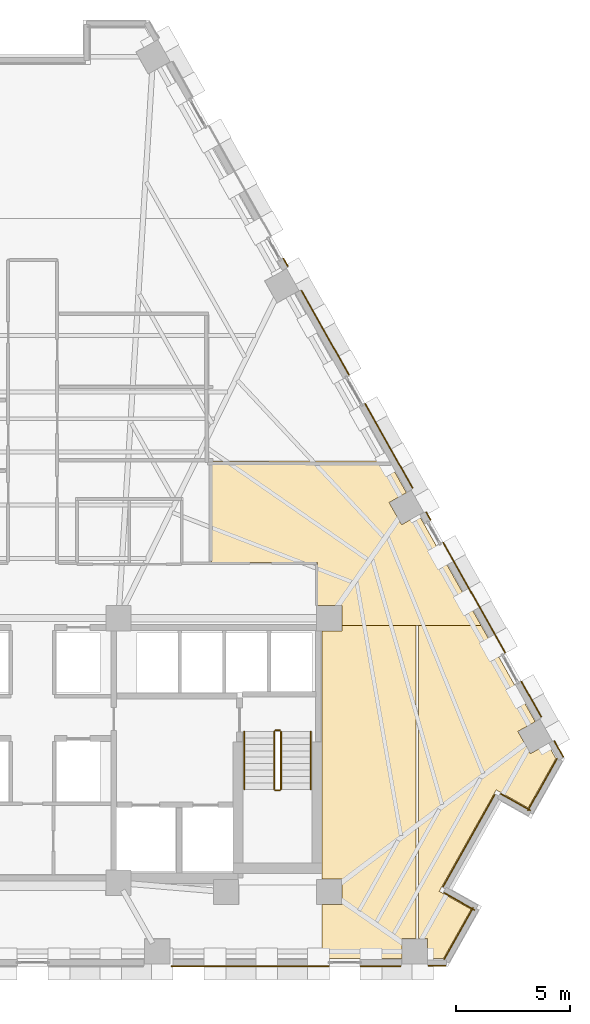
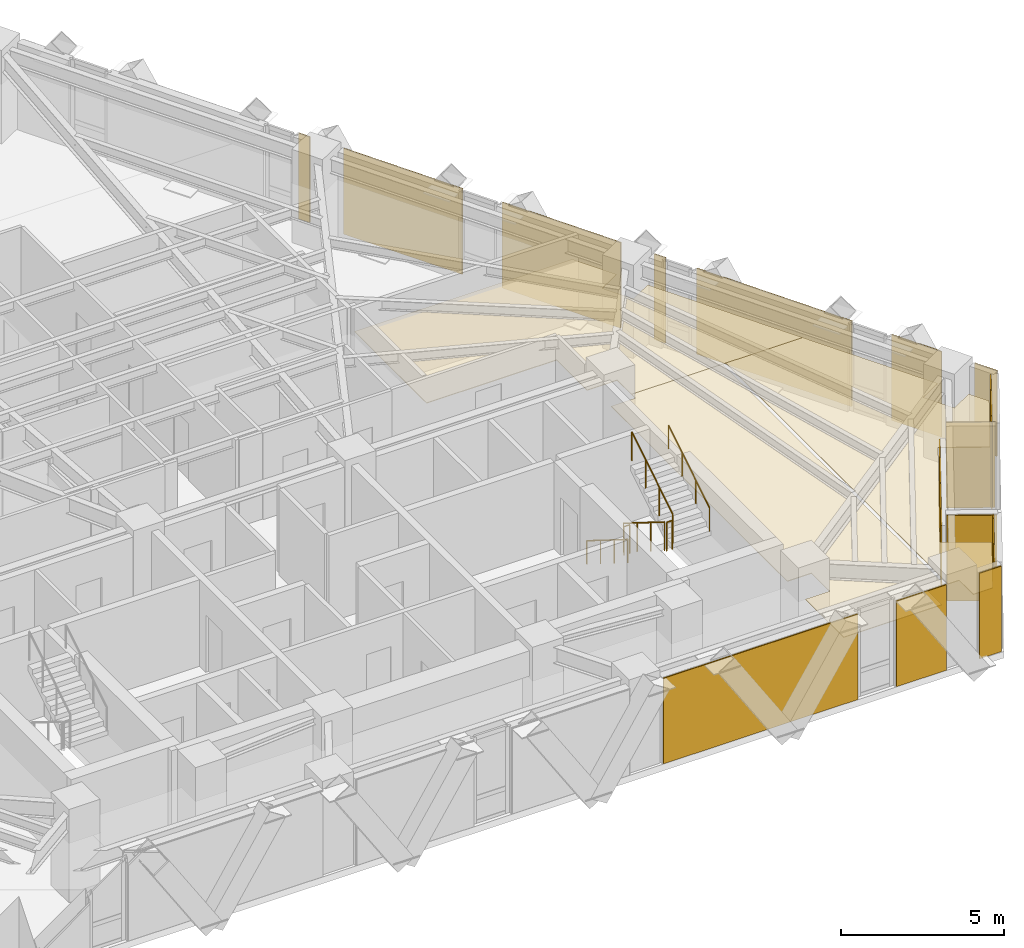
# One storey, part 12 of 13: 18 coverings, 6 railings.
"""IFC4 building model written with IfcOpenShell, lengths in metres."""

from ifc_helpers import new_model, si_unit, direction, frame, origin, origin_2d, place, context, subcontext, project, spatial, polyline, circle, outline, extrude, material, layer, layer_set, type_object, element, save


model = new_model("IFC4")

# Units and contexts
model_context = context("Model", 3, precision=1e-05, world=origin(), true_north=direction((0.0, 1.0)))
body_context = subcontext(model_context, "Body", "Model", "MODEL_VIEW")
ifc_project = project(units=[si_unit("LENGTHUNIT", "METRE"), si_unit("AREAUNIT", "SQUARE_METRE"), si_unit("VOLUMEUNIT", "CUBIC_METRE"), si_unit("PLANEANGLEUNIT", "RADIAN"), si_unit("MASSUNIT", "GRAM", prefix="KILO")], contexts=[model_context])

# Site, building, storey
site_placement = place(None, origin())
site = spatial("IfcSite", under=ifc_project, at=site_placement, CompositionType="ELEMENT")
building_placement = place(site_placement, origin())
building = spatial("IfcBuilding", under=site, at=building_placement, Name="Quenlor Broadcast Tower", CompositionType="ELEMENT")
storey_placement = place(building_placement, frame((0.0, 0.0, 109.0)))
storey = spatial("IfcBuildingStorey", under=building, at=storey_placement, Name="L29", CompositionType="ELEMENT", Elevation=109.0)

# Coverings
ifc_material_1 = material(Name="Acoustic Mineral Fibre Board", Category="other")
ifc_layer_1 = layer(ifc_material_1, 0.02490234375)
ifc_layer_set_1 = layer_set([ifc_layer_1], Name="Acoustic Perforated Mineral Tile Ceiling 25")
covering_type_1 = type_object("IfcCoveringType", Name="Acoustic Perforated Mineral Tile Ceiling 25", PredefinedType="CEILING", material=ifc_layer_set_1)
covering_1_placement = place(storey_placement, frame((0.0, 0.0, 2.22509765625)))
element("IfcCovering", 1, at=covering_1_placement, inside=storey, type_object=covering_type_1, Name="L29 Acoustic Ceiling L29-36-2", PredefinedType="CEILING", context=body_context, shape_type="SweptSolid", body=[
    extrude(outline(polyline([(13.508056640625, -4.241943359375), (12.43994140625, -4.241943359375), (12.43994140625, -2.3701171875), (7.820068359375, -2.3701171875), (7.820068359375, 2.06005859375), (15.55126953125, 2.06005859375), (16.32666015625, 0.68115234375), (15.5703125, 0.255615234375), (16.1171875, -0.717041015625), (16.873779296875, -0.29150390625), (19.58984375, -5.1201171875), (16.860107421875, -5.1201171875), (16.739990234375, -5.1201171875), (13.508056640625, -5.1201171875), (13.508056640625, -4.241943359375)])), origin(), (0.0, 0.0, 1.0), 0.02490234375),
])
covering_2_placement = place(storey_placement, frame((0.0, 0.0, 2.22509765625)))
element("IfcCovering", 2, at=covering_2_placement, inside=storey, type_object=covering_type_1, Name="L29 Acoustic Ceiling L29-36-6", PredefinedType="CEILING", context=body_context, shape_type="SweptSolid", body=[
    extrude(outline(polyline([(13.508056640625, -17.30810546875), (13.508056640625, -16.19189453125), (12.64990234375, -16.19189453125), (12.64990234375, -5.35791015625), (13.508056640625, -5.35791015625), (13.508056640625, -5.1201171875), (16.739990234375, -5.1201171875), (16.739990234375, -18.7919921875), (16.134521484375, -18.7919921875), (16.134521484375, -19.659912109375), (12.64990234375, -19.659912109375), (12.64990234375, -17.30810546875), (13.508056640625, -17.30810546875)])), origin(), (0.0, 0.0, 1.0), 0.02490234375),
])
covering_3_placement = place(storey_placement, frame((0.0, 0.0, 2.22509765625)))
element("IfcCovering", 3, at=covering_3_placement, inside=storey, type_object=covering_type_1, Name="L29 Acoustic Ceiling L29-36-7", PredefinedType="CEILING", context=body_context, shape_type="SweptSolid", body=[
    extrude(outline(polyline([(21.951416015625, -9.318115234375), (21.19482421875, -9.74365234375), (21.741943359375, -10.71630859375), (22.49853515625, -10.290771484375), (22.85693359375, -10.927978515625), (21.64453125, -13.08349609375), (20.25, -12.299072265625), (17.759521484375, -16.7265625), (19.15380859375, -17.510986328125), (17.9453125, -19.659912109375), (17.25048828125, -19.659912109375), (17.25048828125, -18.7919921875), (16.860107421875, -18.7919921875), (16.860107421875, -5.1201171875), (19.58984375, -5.1201171875), (21.951416015625, -9.318115234375)])), origin(), (0.0, 0.0, 1.0), 0.02490234375),
])
ifc_material_2 = material(Name="Architectural Terracotta Ceramic", Category="masonry")
ifc_layer_2 = layer(ifc_material_2, 0.044921875)
ifc_layer_set_2 = layer_set([ifc_layer_2], Name="Fluted Terracotta Rainscreen Cladding Panel")
covering_type_2 = type_object("IfcCoveringType", Name="Fluted Terracotta Rainscreen Cladding Panel", PredefinedType="CLADDING", material=ifc_layer_set_2)
covering_4_placement = place(storey_placement, frame((0.0, 0.0, 0.02001953125)))
element("IfcCovering", 4, at=covering_4_placement, inside=storey, type_object=covering_type_2, Name="L29 Terracotta Rainscreen Cladding L29-SHD-SS0", PredefinedType="CLADDING", context=body_context, shape_type="SweptSolid", body=[
    extrude(outline(polyline([(18.053955078125, -19.951904296875), (17.277587890625, -19.951904296875), (17.277587890625, -19.9970703125), (18.053955078125, -19.9970703125), (18.053955078125, -19.951904296875)])), origin(), (0.0, 0.0, 1.0), 3.2099609375),
])
covering_5_placement = place(storey_placement, frame((0.0, 0.0, 0.02001953125)))
element("IfcCovering", 5, at=covering_5_placement, inside=storey, type_object=covering_type_2, Name="L29 Terracotta Rainscreen Cladding L29-SA-SP1", PredefinedType="CLADDING", context=body_context, shape_type="SweptSolid", body=[
    extrude(outline(polyline([(16.08740234375, -19.971923828125), (14.32177734375, -19.971923828125), (14.32177734375, -20.01708984375), (16.08740234375, -20.01708984375), (16.08740234375, -19.971923828125)])), origin(), (0.0, 0.0, 1.0), 3.2099609375),
])
covering_6_placement = place(storey_placement, frame((0.0, 0.0, 0.02001953125)))
element("IfcCovering", 6, at=covering_6_placement, inside=storey, type_object=covering_type_2, Name="L29 Terracotta Rainscreen Cladding L29-SA-SP2", PredefinedType="CLADDING", context=body_context, shape_type="SweptSolid", body=[
    extrude(outline(polyline([(12.94873046875, -19.971923828125), (6.048095703125, -19.971923828125), (6.048095703125, -20.01708984375), (12.94873046875, -20.01708984375), (12.94873046875, -19.971923828125)])), origin(), (0.0, 0.0, 1.0), 3.2099609375),
])
covering_7_placement = place(storey_placement, frame((0.0, 0.0, 0.02001953125)))
element("IfcCovering", 7, at=covering_7_placement, inside=storey, type_object=covering_type_2, Name="L29 Terracotta Rainscreen Cladding L29-SHD-NES1", PredefinedType="CLADDING", context=body_context, shape_type="SweptSolid", body=[
    extrude(outline(polyline([(22.76611328125, -10.171142578125), (23.160888671875, -10.873046875), (23.2001953125, -10.85107421875), (22.805419921875, -10.149169921875), (22.76611328125, -10.171142578125)])), origin(), (0.0, 0.0, 1.0), 3.2099609375),
])
covering_8_placement = place(storey_placement, frame((0.0, 0.0, 0.02001953125)))
element("IfcCovering", 8, at=covering_8_placement, inside=storey, type_object=covering_type_2, Name="L29 Terracotta Rainscreen Cladding L29-NEA-SP3", PredefinedType="CLADDING", context=body_context, shape_type="SweptSolid", body=[
    extrude(outline(polyline([(10.936279296875, 10.900634765625), (11.13232421875, 10.552001953125), (11.171630859375, 10.57421875), (10.9755859375, 10.922607421875), (10.936279296875, 10.900634765625)])), origin(), (0.0, 0.0, 1.0), 3.2099609375),
])
covering_9_placement = place(storey_placement, frame((0.0, 0.0, 0.02001953125)))
element("IfcCovering", 9, at=covering_9_placement, inside=storey, type_object=covering_type_2, Name="L29 Terracotta Rainscreen Cladding L29-NEC-SP1", PredefinedType="CLADDING", context=body_context, shape_type="SweptSolid", body=[
    extrude(outline(polyline([(17.168701171875, -0.179443359375), (17.36474609375, -0.528076171875), (17.404052734375, -0.506103515625), (17.2080078125, -0.157470703125), (17.168701171875, -0.179443359375)])), origin(), (0.0, 0.0, 1.0), 3.2099609375),
])
covering_10_placement = place(storey_placement, frame((0.0, 0.0, 0.02001953125)))
element("IfcCovering", 10, at=covering_10_placement, inside=storey, type_object=covering_type_2, Name="L29 Terracotta Rainscreen Cladding L29-NEC-SP2", PredefinedType="CLADDING", context=body_context, shape_type="SweptSolid", body=[
    extrude(outline(polyline([(17.912841796875, -1.502197265625), (20.62744140625, -6.328369140625), (20.666748046875, -6.306396484375), (17.951904296875, -1.47998046875), (17.912841796875, -1.502197265625)])), origin(), (0.0, 0.0, 1.0), 3.2099609375),
])
covering_11_placement = place(storey_placement, frame((0.0, 0.0, 0.02001953125)))
element("IfcCovering", 11, at=covering_11_placement, inside=storey, type_object=covering_type_2, Name="L29 Terracotta Rainscreen Cladding L29-NEC-SP3", PredefinedType="CLADDING", context=body_context, shape_type="SweptSolid", body=[
    extrude(outline(polyline([(21.325927734375, -7.56982421875), (22.2001953125, -9.1240234375), (22.239501953125, -9.10205078125), (21.364990234375, -7.5478515625), (21.325927734375, -7.56982421875)])), origin(), (0.0, 0.0, 1.0), 3.2099609375),
])
covering_12_placement = place(storey_placement, frame((0.0, 0.0, 0.02001953125)))
element("IfcCovering", 12, at=covering_12_placement, inside=storey, type_object=covering_type_2, Name="L29 Terracotta Rainscreen Cladding L29-NE-SP1", PredefinedType="CLADDING", context=body_context, shape_type="SweptSolid", body=[
    extrude(outline(polyline([(11.72314453125, 9.501708984375), (13.801513671875, 5.806884765625), (13.8408203125, 5.8291015625), (11.76220703125, 9.523681640625), (11.72314453125, 9.501708984375)])), origin(), (0.0, 0.0, 1.0), 3.2099609375),
])
covering_13_placement = place(storey_placement, frame((0.0, 0.0, 0.02001953125)))
element("IfcCovering", 13, at=covering_13_placement, inside=storey, type_object=covering_type_2, Name="L29 Terracotta Rainscreen Cladding L29-NE-SP2", PredefinedType="CLADDING", context=body_context, shape_type="SweptSolid", body=[
    extrude(outline(polyline([(14.499755859375, 4.565673828125), (16.577880859375, 0.870849609375), (16.6171875, 0.892822265625), (14.538818359375, 4.587646484375), (14.499755859375, 4.565673828125)])), origin(), (0.0, 0.0, 1.0), 3.2099609375),
])
covering_14_placement = place(storey_placement, frame((0.0, 0.0, 0.02001953125)))
element("IfcCovering", 14, at=covering_14_placement, inside=storey, type_object=covering_type_2, Name="L29 Terracotta Rainscreen Cladding L29-CNR-01", PredefinedType="CLADDING", context=body_context, shape_type="SweptSolid", body=[
    extrude(outline(polyline([(19.31787109375, -17.525390625), (17.9755859375, -16.770263671875), (17.95361328125, -16.8095703125), (19.2958984375, -17.564697265625), (19.31787109375, -17.525390625)])), origin(), (0.0, 0.0, 1.0), 3.2099609375),
])
covering_15_placement = place(storey_placement, frame((0.0, 0.0, 0.02001953125)))
element("IfcCovering", 15, at=covering_15_placement, inside=storey, type_object=covering_type_2, Name="L29 Terracotta Rainscreen Cladding L29-CNR-02", PredefinedType="CLADDING", context=body_context, shape_type="SweptSolid", body=[
    extrude(outline(polyline([(17.941162109375, -16.5419921875), (20.206298828125, -12.515380859375), (20.1669921875, -12.493408203125), (17.902099609375, -16.52001953125), (17.941162109375, -16.5419921875)])), origin(), (0.0, 0.0, 1.0), 2.681884765625),
])
covering_16_placement = place(storey_placement, frame((0.0, 0.0, 0.02001953125)))
element("IfcCovering", 16, at=covering_16_placement, inside=storey, type_object=covering_type_2, Name="L29 Terracotta Rainscreen Cladding L29-CNR-03", PredefinedType="CLADDING", context=body_context, shape_type="SweptSolid", body=[
    extrude(outline(polyline([(20.4345703125, -12.48095703125), (21.741943359375, -13.21630859375), (21.763916015625, -13.177001953125), (20.45654296875, -12.441650390625), (20.4345703125, -12.48095703125)])), origin(), (0.0, 0.0, 1.0), 3.2099609375),
])
covering_17_placement = place(storey_placement, frame((0.0, 0.0, 0.02001953125)))
element("IfcCovering", 17, at=covering_17_placement, inside=storey, type_object=covering_type_2, Name="L29 Terracotta Rainscreen Cladding L29-CNR-04", PredefinedType="CLADDING", context=body_context, shape_type="SweptSolid", body=[
    extrude(outline(polyline([(21.64990234375, -13.212646484375), (22.926513671875, -10.94287109375), (22.887451171875, -10.9208984375), (21.610595703125, -13.190673828125), (21.64990234375, -13.212646484375)])), origin(), (0.0, 0.0, 1.0), 3.2099609375),
])
covering_18_placement = place(storey_placement, frame((0.0, 0.0, 0.02001953125)))
element("IfcCovering", 18, at=covering_18_placement, inside=storey, type_object=covering_type_2, Name="L29 Terracotta Rainscreen Cladding L29-CNR-18", PredefinedType="CLADDING", context=body_context, shape_type="SweptSolid", body=[
    extrude(outline(polyline([(17.991943359375, -19.71533203125), (19.26708984375, -17.448486328125), (19.227783203125, -17.426513671875), (17.952880859375, -19.693359375), (17.991943359375, -19.71533203125)])), origin(), (0.0, 0.0, 1.0), 3.2099609375),
])

# Railings
ifc_material_3 = material(Name="Anodised Aluminium", Category="aluminium")
railing_type_1 = type_object("IfcRailingType", Name="Stainless Aluminium Wall Handrail 900", PredefinedType="HANDRAIL", material=ifc_material_3)
railing_1_placement = place(storey_placement, frame((9.25, -9.75, 0.175048828125)))
element("IfcRailing", 19, at=railing_1_placement, inside=storey, type_object=railing_type_1, Name="L29 ST-2 stair handrail 1", PredefinedType="HANDRAIL", context=body_context, shape_type="SweptSolid", body=[
    extrude(circle(Radius=0.02392578125, at=origin_2d()), frame((0.0, 0.0, 0.8759765625), z_axis=(0.0, -0.848007534815, 0.529984170421), x_axis=(1.0, 0.0, 0.0)), (0.0, 0.0, 1.0), 2.9716796875),
    extrude(circle(Radius=0.02099609375, at=origin_2d()), origin(), (0.0, 0.0, 1.0), 0.851806640625),
    extrude(circle(Radius=0.02099609375, at=origin_2d()), frame((0.0, -0.840087890625, 0.52490234375)), (0.0, 0.0, 1.0), 0.851806640625),
    extrude(circle(Radius=0.02099609375, at=origin_2d()), frame((0.0, -1.679931640625, 1.050048828125)), (0.0, 0.0, 1.0), 0.851806640625),
    extrude(circle(Radius=0.02099609375, at=origin_2d()), frame((0.0, -2.52001953125, 1.574951171875)), (0.0, 0.0, 1.0), 0.851806640625),
])
railing_2_placement = place(storey_placement, frame((12.14990234375, -12.27001953125, 1.925048828125)))
element("IfcRailing", 20, at=railing_2_placement, inside=storey, type_object=railing_type_1, Name="L29 ST-2 stair handrail 2", PredefinedType="HANDRAIL", context=body_context, shape_type="SweptSolid", body=[
    extrude(circle(Radius=0.02392578125, at=origin_2d()), frame((0.0, 0.0, 0.8759765625), z_axis=(0.0, 0.848007534815, 0.529984170421), x_axis=(-1.0, 0.0, 0.0)), (0.0, 0.0, 1.0), 2.9716796875),
    extrude(circle(Radius=0.02099609375, at=origin_2d()), origin(), (0.0, 0.0, 1.0), 0.851806640625),
    extrude(circle(Radius=0.02099609375, at=origin_2d()), frame((0.0, 0.840087890625, 0.52490234375)), (0.0, 0.0, 1.0), 0.851806640625),
    extrude(circle(Radius=0.02099609375, at=origin_2d()), frame((0.0, 1.679931640625, 1.050048828125)), (0.0, 0.0, 1.0), 0.851806640625),
    extrude(circle(Radius=0.02099609375, at=origin_2d()), frame((0.0, 2.52001953125, 1.574951171875)), (0.0, 0.0, 1.0), 0.851806640625),
])
ifc_material_4 = material(Name="Steel S355", Category="steel")
railing_type_2 = type_object("IfcRailingType", Name="Tubular Steel S355 Stair Guardrail 1100", PredefinedType="BALUSTRADE", material=ifc_material_4)
railing_3_placement = place(storey_placement, frame((10.550048828125, -9.75, 0.175048828125)))
element("IfcRailing", 21, at=railing_3_placement, inside=storey, type_object=railing_type_2, Name="L29 ST-2 stair guard 1", PredefinedType="BALUSTRADE", context=body_context, shape_type="SweptSolid", body=[
    extrude(circle(Radius=0.02392578125, at=origin_2d()), frame((0.0, 0.0, 1.076171875), z_axis=(0.0, -0.848007534815, 0.529984170421), x_axis=(1.0, 0.0, 0.0)), (0.0, 0.0, 1.0), 2.9716796875),
    extrude(circle(Radius=0.02099609375, at=origin_2d()), origin(), (0.0, 0.0, 1.0), 1.052001953125),
    extrude(circle(Radius=0.02099609375, at=origin_2d()), frame((0.0, -0.840087890625, 0.52490234375)), (0.0, 0.0, 1.0), 1.052001953125),
    extrude(circle(Radius=0.02099609375, at=origin_2d()), frame((0.0, -1.679931640625, 1.050048828125)), (0.0, 0.0, 1.0), 1.052001953125),
    extrude(circle(Radius=0.02099609375, at=origin_2d()), frame((0.0, -2.52001953125, 1.574951171875)), (0.0, 0.0, 1.0), 1.052001953125),
])
railing_4_placement = place(storey_placement, frame((10.60009765625, -12.320068359375, 1.75)))
element("IfcRailing", 22, at=railing_4_placement, inside=storey, type_object=railing_type_2, Name="L29 ST-2 stair guard 2", PredefinedType="BALUSTRADE", context=body_context, shape_type="SweptSolid", body=[
    extrude(circle(Radius=0.02392578125, at=origin_2d()), frame((0.0, 0.0, 1.076171875), z_axis=(1.0, 0.0, 0.0), x_axis=(0.0, 1.0, 0.0)), (0.0, 0.0, 1.0), 0.199951171875),
    extrude(circle(Radius=0.02099609375, at=origin_2d()), origin(), (0.0, 0.0, 1.0), 1.052001953125),
    extrude(circle(Radius=0.02099609375, at=origin_2d()), frame((0.199951171875, 0.0, 0.0)), (0.0, 0.0, 1.0), 1.052001953125),
])
railing_5_placement = place(storey_placement, frame((10.85009765625, -12.27001953125, 1.925048828125)))
element("IfcRailing", 23, at=railing_5_placement, inside=storey, type_object=railing_type_2, Name="L29 ST-2 stair guard 3", PredefinedType="BALUSTRADE", context=body_context, shape_type="SweptSolid", body=[
    extrude(circle(Radius=0.02392578125, at=origin_2d()), frame((0.0, 0.0, 1.076171875), z_axis=(0.0, 0.848007534815, 0.529984170421), x_axis=(-1.0, 0.0, 0.0)), (0.0, 0.0, 1.0), 2.9716796875),
    extrude(circle(Radius=0.02099609375, at=origin_2d()), origin(), (0.0, 0.0, 1.0), 1.052001953125),
    extrude(circle(Radius=0.02099609375, at=origin_2d()), frame((0.0, 0.840087890625, 0.52490234375)), (0.0, 0.0, 1.0), 1.052001953125),
    extrude(circle(Radius=0.02099609375, at=origin_2d()), frame((0.0, 1.679931640625, 1.050048828125)), (0.0, 0.0, 1.0), 1.052001953125),
    extrude(circle(Radius=0.02099609375, at=origin_2d()), frame((0.0, 2.52001953125, 1.574951171875)), (0.0, 0.0, 1.0), 1.052001953125),
])
railing_6_placement = place(storey_placement, frame((10.60009765625, -9.699951171875, 0.0)))
element("IfcRailing", 24, at=railing_6_placement, inside=storey, type_object=railing_type_2, Name="L29 ST-2 stair guard 4", PredefinedType="BALUSTRADE", context=body_context, shape_type="SweptSolid", body=[
    extrude(circle(Radius=0.02392578125, at=origin_2d()), frame((0.0, 0.0, 1.076171875), z_axis=(1.0, 0.0, 0.0), x_axis=(0.0, 1.0, 0.0)), (0.0, 0.0, 1.0), 0.199951171875),
    extrude(circle(Radius=0.02099609375, at=origin_2d()), origin(), (0.0, 0.0, 1.0), 1.052001953125),
    extrude(circle(Radius=0.02099609375, at=origin_2d()), frame((0.199951171875, 0.0, 0.0)), (0.0, 0.0, 1.0), 1.052001953125),
])

save(model, "model.ifc")
